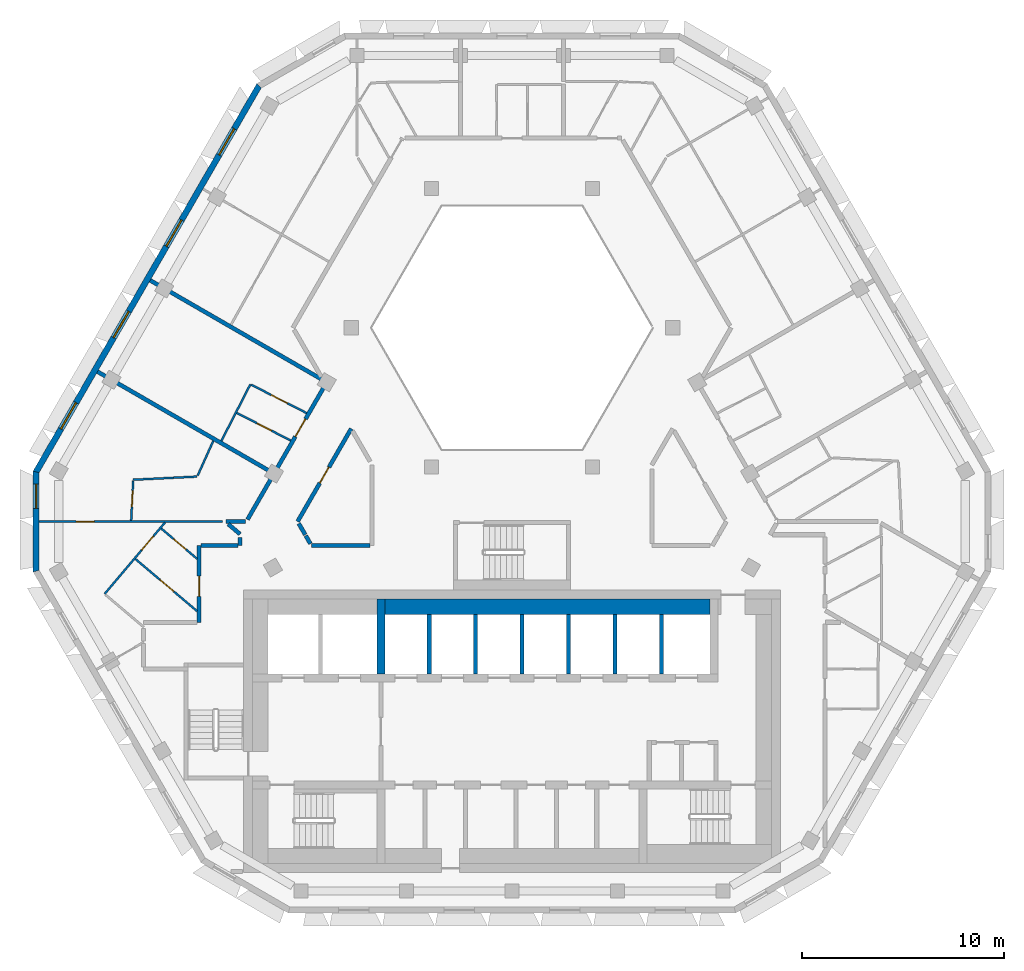
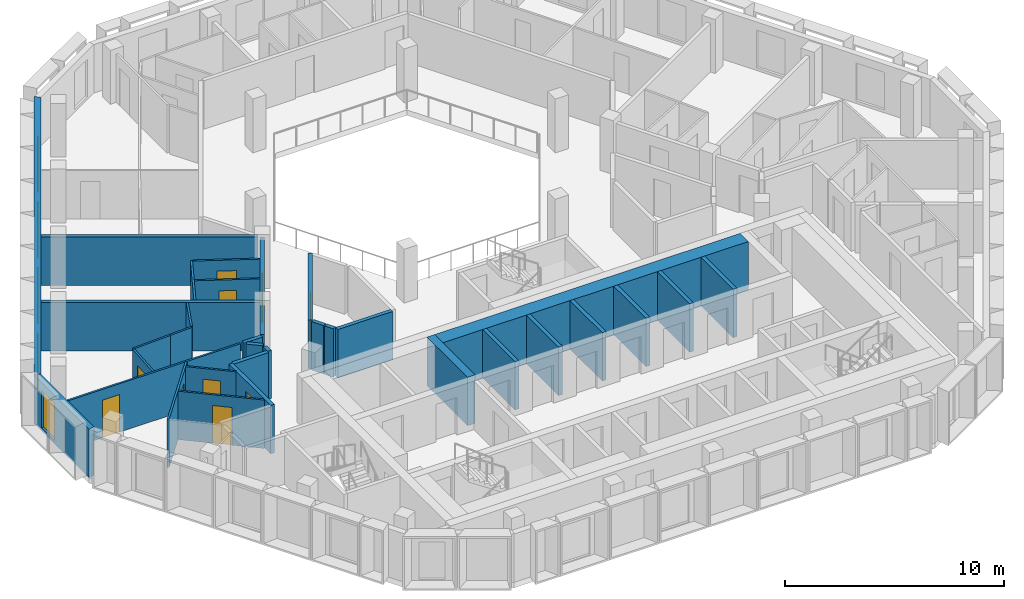
# One storey, part 4 of 15: 33 walls, 10 doors, 5 windows, 15 openings.
"""IFC4 building model written with IfcOpenShell, lengths in metres."""

from ifc_helpers import new_model, si_unit, direction, frame, frame_2d, origin, place, context, subcontext, project, spatial, polyline, rectangle, outline, extrude, material, layer, layer_set, type_object, element, fill, save


model = new_model("IFC4")

# Units and contexts
model_context = context("Model", 3, precision=1e-05, world=origin(), true_north=direction((0.0, 1.0)))
body_context = subcontext(model_context, "Body", "Model", "MODEL_VIEW")
ifc_project = project(units=[si_unit("LENGTHUNIT", "METRE"), si_unit("AREAUNIT", "SQUARE_METRE"), si_unit("VOLUMEUNIT", "CUBIC_METRE"), si_unit("PLANEANGLEUNIT", "RADIAN"), si_unit("MASSUNIT", "GRAM", prefix="KILO")], contexts=[model_context])

# Site, building, storey
site_placement = place(None, origin())
site = spatial("IfcSite", under=ifc_project, at=site_placement, CompositionType="ELEMENT")
building_placement = place(site_placement, origin())
building = spatial("IfcBuilding", under=site, at=building_placement, Name="Beryl Residences", CompositionType="ELEMENT")
storey_placement = place(building_placement, frame((0.0, 0.0, 205.800048828125)))
storey = spatial("IfcBuildingStorey", under=building, at=storey_placement, Name="L63", CompositionType="ELEMENT", Elevation=205.800048828125)

# Wall, openings, windows
ifc_material_1 = material(Name="Composite metal panel with mineral wool insulation")
ifc_layer_1 = layer(ifc_material_1, 0.300048828125)
ifc_layer_set_1 = layer_set([ifc_layer_1], Name="ES1 pale metal composite panel wall 300 mm")
wall_type_1 = type_object("IfcWallType", Name="ES1 pale metal composite panel wall 300 mm", PredefinedType="SOLIDWALL", material=ifc_layer_set_1)
wall_1_placement = place(storey_placement, frame((-12.513916015625, 20.02490234375, 0.0), z_axis=(0.0, 0.0, 1.0), x_axis=(-0.500003656944, -0.866023292436, 0.0)))
wall_1 = element("IfcWall", 1, at=wall_1_placement, inside=storey, type_object=wall_type_1, Name="ES1 external wall L63 NW", PredefinedType="SOLIDWALL", context=body_context, shape_type="SweptSolid", body=[
    extrude(outline(polyline([(0.0, -0.14990234375), (22.170166015625, -0.14990234375), (22.08984375, 0.14990234375), (0.080322265625, 0.14990234375), (0.0, -0.14990234375)])), origin(), (0.0, 0.0, 1.0), 2.699951171875),
])
opening_1_placement = place(wall_1_placement, frame((2.4970703125, 0.0, 0.14990234375)))
opening_1 = element("IfcOpeningElement", 2, at=opening_1_placement, cuts=wall_1, Name="Opening W1", PredefinedType="OPENING", context=body_context, shape_type="SweptSolid", body=[
    extrude(rectangle(XDim=1.5, YDim=2.10009765625, at=frame_2d((0.75, 1.050048828125))), frame((0.0, 0.159912109375, 0.0), z_axis=(0.0, -1.0, 0.0), x_axis=(1.0, 0.0, 0.0)), (0.0, 0.0, 1.0), 0.320068359375),
])
opening_2_placement = place(wall_1_placement, frame((7.721923828125, 0.0, 0.14990234375)))
opening_2 = element("IfcOpeningElement", 3, at=opening_2_placement, cuts=wall_1, Name="Opening W1", PredefinedType="OPENING", context=body_context, shape_type="SweptSolid", body=[
    extrude(rectangle(XDim=1.5, YDim=2.10009765625, at=frame_2d((0.75, 1.050048828125))), frame((0.0, 0.159912109375, 0.0), z_axis=(0.0, -1.0, 0.0), x_axis=(1.0, 0.0, 0.0)), (0.0, 0.0, 1.0), 0.320068359375),
])
opening_3_placement = place(wall_1_placement, frame((12.947998046875, 0.0, 0.14990234375)))
opening_3 = element("IfcOpeningElement", 4, at=opening_3_placement, cuts=wall_1, Name="Opening W1", PredefinedType="OPENING", context=body_context, shape_type="SweptSolid", body=[
    extrude(rectangle(XDim=1.5, YDim=2.10009765625, at=frame_2d((0.75, 1.050048828125))), frame((0.0, 0.159912109375, 0.0), z_axis=(0.0, -1.0, 0.0), x_axis=(1.0, 0.0, 0.0)), (0.0, 0.0, 1.0), 0.320068359375),
])
opening_4_placement = place(wall_1_placement, frame((18.173095703125, 0.0, 0.14990234375)))
opening_4 = element("IfcOpeningElement", 5, at=opening_4_placement, cuts=wall_1, Name="Opening W1", PredefinedType="OPENING", context=body_context, shape_type="SweptSolid", body=[
    extrude(rectangle(XDim=1.5, YDim=2.10009765625, at=frame_2d((0.75, 1.050048828125))), frame((0.0, 0.159912109375, 0.0), z_axis=(0.0, -1.0, 0.0), x_axis=(1.0, 0.0, 0.0)), (0.0, 0.0, 1.0), 0.320068359375),
])
ifc_material_2 = material(Name="Aluminium and clear glass", Category="aluminium")
window_type_1 = type_object("IfcWindowType", Name="W1 cell window 1500 x 2100 mm", PartitioningType="SINGLE_PANEL", PredefinedType="WINDOW", material=ifc_material_2)
window_1_placement = place(opening_1_placement, origin())
window_1 = element("IfcWindow", 6, at=window_1_placement, inside=storey, type_object=window_type_1, Name="W1 window L63 NW 2", OverallHeight=2.10009765625, OverallWidth=1.5, PartitioningType="SINGLE_PANEL", PredefinedType="WINDOW", context=body_context, shape_type="SweptSolid", body=[
    extrude(rectangle(XDim=1.5, YDim=2.10009765625, at=frame_2d((0.75, 1.050048828125))), frame((0.0, 0.030029296875, 0.0), z_axis=(0.0, -1.0, 0.0), x_axis=(1.0, 0.0, 0.0)), (0.0, 0.0, 1.0), 0.06005859375),
])
fill(opening_1, window_1)
window_2_placement = place(opening_2_placement, origin())
window_2 = element("IfcWindow", 7, at=window_2_placement, inside=storey, type_object=window_type_1, Name="W1 window L63 NW 4", OverallHeight=2.10009765625, OverallWidth=1.5, PartitioningType="SINGLE_PANEL", PredefinedType="WINDOW", context=body_context, shape_type="SweptSolid", body=[
    extrude(rectangle(XDim=1.5, YDim=2.10009765625, at=frame_2d((0.75, 1.050048828125))), frame((0.0, 0.030029296875, 0.0), z_axis=(0.0, -1.0, 0.0), x_axis=(1.0, 0.0, 0.0)), (0.0, 0.0, 1.0), 0.06005859375),
])
fill(opening_2, window_2)
window_3_placement = place(opening_3_placement, origin())
window_3 = element("IfcWindow", 8, at=window_3_placement, inside=storey, type_object=window_type_1, Name="W1 window L63 NW 6", OverallHeight=2.10009765625, OverallWidth=1.5, PartitioningType="SINGLE_PANEL", PredefinedType="WINDOW", context=body_context, shape_type="SweptSolid", body=[
    extrude(rectangle(XDim=1.5, YDim=2.10009765625, at=frame_2d((0.75, 1.050048828125))), frame((0.0, 0.030029296875, 0.0), z_axis=(0.0, -1.0, 0.0), x_axis=(1.0, 0.0, 0.0)), (0.0, 0.0, 1.0), 0.06005859375),
])
fill(opening_3, window_3)
window_4_placement = place(opening_4_placement, origin())
window_4 = element("IfcWindow", 9, at=window_4_placement, inside=storey, type_object=window_type_1, Name="W1 window L63 NW 8", OverallHeight=2.10009765625, OverallWidth=1.5, PartitioningType="SINGLE_PANEL", PredefinedType="WINDOW", context=body_context, shape_type="SweptSolid", body=[
    extrude(rectangle(XDim=1.5, YDim=2.10009765625, at=frame_2d((0.75, 1.050048828125))), frame((0.0, 0.030029296875, 0.0), z_axis=(0.0, -1.0, 0.0), x_axis=(1.0, 0.0, 0.0)), (0.0, 0.0, 1.0), 0.06005859375),
])
fill(opening_4, window_4)

# Wall, opening, window
wall_2_placement = place(storey_placement, frame((-23.5791015625, 0.89990234375, 0.0), z_axis=(0.0, 0.0, 1.0), x_axis=(0.0, -1.0, 0.0)))
wall_2 = element("IfcWall", 10, at=wall_2_placement, inside=storey, type_object=wall_type_1, Name="ES1 external wall L63 NW-SW", PredefinedType="SOLIDWALL", context=body_context, shape_type="SweptSolid", body=[
    extrude(outline(polyline([(0.0, -0.14990234375), (5.0, -0.14990234375), (4.919677734375, 0.14990234375), (0.080322265625, 0.14990234375), (0.0, -0.14990234375)])), origin(), (0.0, 0.0, 1.0), 2.699951171875),
])
opening_5_placement = place(wall_2_placement, frame((0.64990234375, 0.0, 0.14990234375)))
opening_5 = element("IfcOpeningElement", 11, at=opening_5_placement, cuts=wall_2, Name="Opening W2", PredefinedType="OPENING", context=body_context, shape_type="SweptSolid", body=[
    extrude(rectangle(XDim=1.199951171875, YDim=2.10009765625, at=frame_2d((0.60009765625, 1.050048828125))), frame((0.0, 0.159912109375, 0.0), z_axis=(0.0, -1.0, 0.0), x_axis=(1.0, 0.0, 0.0)), (0.0, 0.0, 1.0), 0.320068359375),
])
ifc_material_3 = material(Name="Aluminium and clear glass", Category="aluminium")
window_type_2 = type_object("IfcWindowType", Name="W2 chamfer window 1200 x 2100 mm", PartitioningType="SINGLE_PANEL", PredefinedType="WINDOW", material=ifc_material_3)
window_5_placement = place(opening_5_placement, origin())
window_5 = element("IfcWindow", 12, at=window_5_placement, inside=storey, type_object=window_type_2, Name="W2 window L63 NW-SW 1", OverallHeight=2.10009765625, OverallWidth=1.199951171875, PartitioningType="SINGLE_PANEL", PredefinedType="WINDOW", context=body_context, shape_type="SweptSolid", body=[
    extrude(rectangle(XDim=1.199951171875, YDim=2.10009765625, at=frame_2d((0.60009765625, 1.050048828125))), frame((0.0, 0.030029296875, 0.0), z_axis=(0.0, -1.0, 0.0), x_axis=(1.0, 0.0, 0.0)), (0.0, 0.0, 1.0), 0.06005859375),
])
fill(opening_5, window_5)

# Wall, opening, door
ifc_material_4 = material(Name="Gypsum board partition on steel studs", Category="steel")
ifc_layer_2 = layer(ifc_material_4, 0.10009765625)
ifc_layer_set_2 = layer_set([ifc_layer_2], Name="PT1 partition 100 mm gypsum board on steel studs")
wall_type_2 = type_object("IfcWallType", Name="PT1 partition 100 mm gypsum board on steel studs", PredefinedType="PARTITIONING", material=ifc_layer_set_2)
wall_3_placement = place(storey_placement, frame((-12.9169921875, 5.177001953125, 0.0), z_axis=(0.0, 0.0, 1.0), x_axis=(0.889829844516, -0.456292502467, 0.0)))
wall_3 = element("IfcWall", 13, at=wall_3_placement, inside=storey, type_object=wall_type_2, Name="Wall PT1 L63 015", PredefinedType="PARTITIONING", context=body_context, shape_type="SweptSolid", body=[
    extrude(rectangle(XDim=3.079345703125, YDim=0.10009765625, at=frame_2d((1.53955078125, 0.0))), origin(), (0.0, 0.0, 1.0), 2.699951171875),
])
opening_6_placement = place(wall_3_placement, frame((1.114013671875, 0.0, 0.0)))
opening_6 = element("IfcOpeningElement", 14, at=opening_6_placement, cuts=wall_3, Name="Opening D2121", PredefinedType="OPENING", context=body_context, shape_type="SweptSolid", body=[
    extrude(rectangle(XDim=0.89990234375, YDim=2.10009765625, at=frame_2d((0.449951171875, 1.050048828125))), frame((0.0, 0.06005859375, 0.0), z_axis=(0.0, -1.0, 0.0), x_axis=(1.0, 0.0, 0.0)), (0.0, 0.0, 1.0), 0.1201171875),
])
ifc_material_5 = material(Name="Timber door leaf", Category="wood")
door_type_1 = type_object("IfcDoorType", Name="D2 room door 900 x 2100 mm", OperationType="SINGLE_SWING_LEFT", PredefinedType="DOOR", material=ifc_material_5)
door_1_placement = place(opening_6_placement, origin())
door_1 = element("IfcDoor", 15, at=door_1_placement, inside=storey, type_object=door_type_1, Name="Door D2121 L63 001", OperationType="SINGLE_SWING_LEFT", OverallHeight=2.10009765625, OverallWidth=0.89990234375, PredefinedType="DOOR", context=body_context, shape_type="SweptSolid", body=[
    extrude(rectangle(XDim=0.89990234375, YDim=2.10009765625, at=frame_2d((0.449951171875, 1.050048828125))), frame((0.0, 0.02490234375, 0.0), z_axis=(0.0, -1.0, 0.0), x_axis=(1.0, 0.0, 0.0)), (0.0, 0.0, 1.0), 0.050048828125),
])
fill(opening_6, door_1)

wall_4_placement = place(storey_placement, frame((-13.634033203125, 3.780029296875, 0.0), z_axis=(0.0, 0.0, 1.0), x_axis=(0.889908901513, -0.456138298116, 0.0)))
wall_4 = element("IfcWall", 16, at=wall_4_placement, inside=storey, type_object=wall_type_2, Name="Wall PT1 L63 016", PredefinedType="PARTITIONING", context=body_context, shape_type="SweptSolid", body=[
    extrude(rectangle(XDim=3.001708984375, YDim=0.10009765625, at=frame_2d((1.5009765625, 0.0))), origin(), (0.0, 0.0, 1.0), 2.699951171875),
])
opening_7_placement = place(wall_4_placement, frame((1.1259765625, 0.0, 0.0)))
opening_7 = element("IfcOpeningElement", 17, at=opening_7_placement, cuts=wall_4, Name="Opening D2122", PredefinedType="OPENING", context=body_context, shape_type="SweptSolid", body=[
    extrude(rectangle(XDim=0.800048828125, YDim=2.10009765625, at=frame_2d((0.39990234375, 1.050048828125))), frame((0.0, 0.06005859375, 0.0), z_axis=(0.0, -1.0, 0.0), x_axis=(1.0, 0.0, 0.0)), (0.0, 0.0, 1.0), 0.1201171875),
])
ifc_material_6 = material(Name="Timber door leaf", Category="wood")
door_type_2 = type_object("IfcDoorType", Name="D3 bathroom door 800 x 2100 mm", OperationType="SINGLE_SWING_LEFT", PredefinedType="DOOR", material=ifc_material_6)
door_2_placement = place(opening_7_placement, origin())
door_2 = element("IfcDoor", 18, at=door_2_placement, inside=storey, type_object=door_type_2, Name="Door D2122 L63 001", OperationType="SINGLE_SWING_RIGHT", OverallHeight=2.10009765625, OverallWidth=0.800048828125, PredefinedType="DOOR", context=body_context, shape_type="SweptSolid", body=[
    extrude(rectangle(XDim=0.800048828125, YDim=2.10009765625, at=frame_2d((0.39990234375, 1.050048828125))), frame((0.0, 0.02490234375, 0.0), z_axis=(0.0, -1.0, 0.0), x_axis=(1.0, 0.0, 0.0)), (0.0, 0.0, 1.0), 0.050048828125),
])
fill(opening_7, door_2)

wall_5_placement = place(storey_placement, frame((-17.3798828125, -1.947021484375, 0.0), z_axis=(0.0, 0.0, 1.0), x_axis=(0.763616683524, -0.645669854217, 0.0)))
wall_5 = element("IfcWall", 19, at=wall_5_placement, inside=storey, type_object=wall_type_2, Name="Wall PT1 L63 019", PredefinedType="PARTITIONING", context=body_context, shape_type="SweptSolid", body=[
    extrude(rectangle(XDim=2.330810546875, YDim=0.10009765625, at=frame_2d((1.16552734375, 0.0))), origin(), (0.0, 0.0, 1.0), 2.699951171875),
])
opening_8_placement = place(wall_5_placement, frame((0.805908203125, 0.0, 0.0)))
opening_8 = element("IfcOpeningElement", 20, at=opening_8_placement, cuts=wall_5, Name="Opening D2125", PredefinedType="OPENING", context=body_context, shape_type="SweptSolid", body=[
    extrude(rectangle(XDim=0.800048828125, YDim=2.10009765625, at=frame_2d((0.39990234375, 1.050048828125))), frame((0.0, 0.06005859375, 0.0), z_axis=(0.0, -1.0, 0.0), x_axis=(1.0, 0.0, 0.0)), (0.0, 0.0, 1.0), 0.1201171875),
])
door_3_placement = place(opening_8_placement, origin())
door_3 = element("IfcDoor", 21, at=door_3_placement, inside=storey, type_object=door_type_2, Name="Door D2125 L63 001", OperationType="SINGLE_SWING_LEFT", OverallHeight=2.10009765625, OverallWidth=0.800048828125, PredefinedType="DOOR", context=body_context, shape_type="SweptSolid", body=[
    extrude(rectangle(XDim=0.800048828125, YDim=2.10009765625, at=frame_2d((0.39990234375, 1.050048828125))), frame((0.0, 0.02490234375, 0.0), z_axis=(0.0, -1.0, 0.0), x_axis=(1.0, 0.0, 0.0)), (0.0, 0.0, 1.0), 0.050048828125),
])
fill(opening_8, door_3)

wall_6_placement = place(storey_placement, frame((-18.658935546875, -3.458984375, 0.0), z_axis=(0.0, 0.0, 1.0), x_axis=(0.763550385572, -0.64574825489, 0.0)))
wall_6 = element("IfcWall", 22, at=wall_6_placement, inside=storey, type_object=wall_type_2, Name="Wall PT1 L63 020", PredefinedType="PARTITIONING", context=body_context, shape_type="SweptSolid", body=[
    extrude(rectangle(XDim=4.006103515625, YDim=0.10009765625, at=frame_2d((2.0029296875, 0.0))), origin(), (0.0, 0.0, 1.0), 2.699951171875),
])
opening_9_placement = place(wall_6_placement, frame((1.593017578125, 0.0, 0.0)))
opening_9 = element("IfcOpeningElement", 23, at=opening_9_placement, cuts=wall_6, Name="Opening D2124", PredefinedType="OPENING", context=body_context, shape_type="SweptSolid", body=[
    extrude(rectangle(XDim=0.89990234375, YDim=2.10009765625, at=frame_2d((0.449951171875, 1.050048828125))), frame((0.0, 0.06005859375, 0.0), z_axis=(0.0, -1.0, 0.0), x_axis=(1.0, 0.0, 0.0)), (0.0, 0.0, 1.0), 0.1201171875),
])
door_4_placement = place(opening_9_placement, origin())
door_4 = element("IfcDoor", 24, at=door_4_placement, inside=storey, type_object=door_type_1, Name="Door D2124 L63 001", OperationType="SINGLE_SWING_RIGHT", OverallHeight=2.10009765625, OverallWidth=0.89990234375, PredefinedType="DOOR", context=body_context, shape_type="SweptSolid", body=[
    extrude(rectangle(XDim=0.89990234375, YDim=2.10009765625, at=frame_2d((0.449951171875, 1.050048828125))), frame((0.0, 0.02490234375, 0.0), z_axis=(0.0, -1.0, 0.0), x_axis=(1.0, 0.0, 0.0)), (0.0, 0.0, 1.0), 0.050048828125),
])
fill(opening_9, door_4)

wall_7_placement = place(storey_placement, frame((-23.428955078125, -1.60107421875, 0.0), z_axis=(0.0, 0.0, 1.0), x_axis=(0.999999994233, 0.000107396965, 0.0)))
wall_7 = element("IfcWall", 25, at=wall_7_placement, inside=storey, type_object=wall_type_2, Name="Wall PT1 L63 022", PredefinedType="PARTITIONING", context=body_context, shape_type="SweptSolid", body=[
    extrude(rectangle(XDim=9.093017578125, YDim=0.10009765625, at=frame_2d((4.54638671875, 0.0))), origin(), (0.0, 0.0, 1.0), 2.699951171875),
])
opening_10_placement = place(wall_7_placement, frame((1.8291015625, 0.0, 0.0)))
opening_10 = element("IfcOpeningElement", 26, at=opening_10_placement, cuts=wall_7, Name="Opening D2127", PredefinedType="OPENING", context=body_context, shape_type="SweptSolid", body=[
    extrude(rectangle(XDim=0.89990234375, YDim=2.10009765625, at=frame_2d((0.449951171875, 1.050048828125))), frame((0.0, 0.06005859375, 0.0), z_axis=(0.0, -1.0, 0.0), x_axis=(1.0, 0.0, 0.0)), (0.0, 0.0, 1.0), 0.1201171875),
])
door_5_placement = place(opening_10_placement, origin())
door_5 = element("IfcDoor", 27, at=door_5_placement, inside=storey, type_object=door_type_1, Name="Door D2127 L63 001", OperationType="SINGLE_SWING_LEFT", OverallHeight=2.10009765625, OverallWidth=0.89990234375, PredefinedType="DOOR", context=body_context, shape_type="SweptSolid", body=[
    extrude(rectangle(XDim=0.89990234375, YDim=2.10009765625, at=frame_2d((0.449951171875, 1.050048828125))), frame((0.0, 0.02490234375, 0.0), z_axis=(0.0, -1.0, 0.0), x_axis=(1.0, 0.0, 0.0)), (0.0, 0.0, 1.0), 0.050048828125),
])
fill(opening_10, door_5)

wall_8_placement = place(storey_placement, frame((-20.18798828125, -5.19091796875, 0.0), z_axis=(0.0, 0.0, 1.0), x_axis=(0.645524337256, 0.763739700429, 0.0)))
wall_8 = element("IfcWall", 28, at=wall_8_placement, inside=storey, type_object=wall_type_2, Name="Wall PT1 L63 026", PredefinedType="PARTITIONING", context=body_context, shape_type="SweptSolid", body=[
    extrude(rectangle(XDim=4.636474609375, YDim=0.10009765625, at=frame_2d((2.318359375, 0.0))), origin(), (0.0, 0.0, 1.0), 2.699951171875),
])
opening_11_placement = place(wall_8_placement, frame((2.85009765625, 0.0, 0.0)))
opening_11 = element("IfcOpeningElement", 29, at=opening_11_placement, cuts=wall_8, Name="Opening D2126", PredefinedType="OPENING", context=body_context, shape_type="SweptSolid", body=[
    extrude(rectangle(XDim=0.89990234375, YDim=2.10009765625, at=frame_2d((0.449951171875, 1.050048828125))), frame((0.0, 0.06005859375, 0.0), z_axis=(0.0, -1.0, 0.0), x_axis=(1.0, 0.0, 0.0)), (0.0, 0.0, 1.0), 0.1201171875),
])
door_6_placement = place(opening_11_placement, origin())
door_6 = element("IfcDoor", 30, at=door_6_placement, inside=storey, type_object=door_type_1, Name="Door D2126 L63 001", OperationType="SINGLE_SWING_RIGHT", OverallHeight=2.10009765625, OverallWidth=0.89990234375, PredefinedType="DOOR", context=body_context, shape_type="SweptSolid", body=[
    extrude(rectangle(XDim=0.89990234375, YDim=2.10009765625, at=frame_2d((0.449951171875, 1.050048828125))), frame((0.0, 0.02490234375, 0.0), z_axis=(0.0, -1.0, 0.0), x_axis=(1.0, 0.0, 0.0)), (0.0, 0.0, 1.0), 0.050048828125),
])
fill(opening_11, door_6)

# Walls
wall_9_placement = place(storey_placement, frame((-15.574951171875, 0.677001953125, 0.0), z_axis=(0.0, 0.0, 1.0), x_axis=(0.410768223147, 0.911739802165, 0.0)))
element("IfcWall", 31, at=wall_9_placement, inside=storey, type_object=wall_type_2, Name="Wall PT1 L63 028", PredefinedType="PARTITIONING", context=body_context, shape_type="SweptSolid", body=[
    extrude(rectangle(XDim=1.886474609375, YDim=0.10009765625, at=frame_2d((0.943359375, 0.0))), origin(), (0.0, 0.0, 1.0), 2.699951171875),
])
wall_10_placement = place(storey_placement, frame((-14.39892578125, 2.39599609375, 0.0), z_axis=(0.0, 0.0, 1.0), x_axis=(0.455967231787, 0.889996563778, 0.0)))
element("IfcWall", 32, at=wall_10_placement, inside=storey, type_object=wall_type_2, Name="Wall PT1 L63 034", PredefinedType="PARTITIONING", context=body_context, shape_type="SweptSolid", body=[
    extrude(rectangle(XDim=3.1494140625, YDim=0.10009765625, at=frame_2d((1.57470703125, 0.0))), origin(), (0.0, 0.0, 1.0), 2.699951171875),
])

# Wall, opening, door
wall_11_placement = place(storey_placement, frame((-18.868896484375, -1.550048828125, 0.0), z_axis=(0.0, 0.0, 1.0), x_axis=(0.049189853645, 0.998789446429, 0.0)))
wall_11 = element("IfcWall", 33, at=wall_11_placement, inside=storey, type_object=wall_type_2, Name="Wall PT1 L63 035", PredefinedType="PARTITIONING", context=body_context, shape_type="SweptSolid", body=[
    extrude(rectangle(XDim=1.970458984375, YDim=0.10009765625, at=frame_2d((0.9853515625, 0.0))), origin(), (0.0, 0.0, 1.0), 2.699951171875),
])
opening_12_placement = place(wall_11_placement, frame((0.68408203125, 0.0, 0.0)))
opening_12 = element("IfcOpeningElement", 34, at=opening_12_placement, cuts=wall_11, Name="Opening D2129", PredefinedType="OPENING", context=body_context, shape_type="SweptSolid", body=[
    extrude(rectangle(XDim=0.800048828125, YDim=2.10009765625, at=frame_2d((0.39990234375, 1.050048828125))), frame((0.0, 0.06005859375, 0.0), z_axis=(0.0, -1.0, 0.0), x_axis=(1.0, 0.0, 0.0)), (0.0, 0.0, 1.0), 0.1201171875),
])
door_7_placement = place(opening_12_placement, origin())
door_7 = element("IfcDoor", 35, at=door_7_placement, inside=storey, type_object=door_type_2, Name="Door D2129 L63 001", OperationType="SINGLE_SWING_LEFT", OverallHeight=2.10009765625, OverallWidth=0.800048828125, PredefinedType="DOOR", context=body_context, shape_type="SweptSolid", body=[
    extrude(rectangle(XDim=0.800048828125, YDim=2.10009765625, at=frame_2d((0.39990234375, 1.050048828125))), frame((0.0, 0.02490234375, 0.0), z_axis=(0.0, -1.0, 0.0), x_axis=(1.0, 0.0, 0.0)), (0.0, 0.0, 1.0), 0.050048828125),
])
fill(opening_12, door_7)

# Walls
wall_12_placement = place(storey_placement, frame((-18.76904296875, 0.468994140625, 0.0), z_axis=(0.0, 0.0, 1.0), x_axis=(0.998780383332, 0.049373534108, 0.0)))
element("IfcWall", 36, at=wall_12_placement, inside=storey, type_object=wall_type_2, Name="Wall PT1 L63 046", PredefinedType="PARTITIONING", context=body_context, shape_type="SweptSolid", body=[
    extrude(rectangle(XDim=2.007568359375, YDim=0.10009765625, at=frame_2d((1.00390625, 0.0))), origin(), (0.0, 0.0, 1.0), 2.699951171875),
])
wall_13_placement = place(storey_placement, frame((-16.763916015625, 0.569091796875, 0.0), z_axis=(0.0, 0.0, 1.0), x_axis=(0.998812102885, 0.048727642373, 0.0)))
element("IfcWall", 37, at=wall_13_placement, inside=storey, type_object=wall_type_2, Name="Wall PT1 L63 047", PredefinedType="PARTITIONING", context=body_context, shape_type="SweptSolid", body=[
    extrude(rectangle(XDim=1.16748046875, YDim=0.10009765625, at=frame_2d((0.583740234375, 0.0))), origin(), (0.0, 0.0, 1.0), 2.699951171875),
])
ifc_material_7 = material(Name="Acoustic double stud gypsum board wall")
ifc_layer_3 = layer(ifc_material_7, 0.199951171875)
ifc_layer_set_3 = layer_set([ifc_layer_3], Name="PT3 party wall 200 mm acoustic double stud")
wall_type_3 = type_object("IfcWallType", Name="PT3 party wall 200 mm acoustic double stud", PredefinedType="PARTITIONING", material=ifc_layer_set_3)
wall_14_placement = place(storey_placement, frame((-20.5390625, 5.824951171875, 0.0), z_axis=(0.0, 0.0, 1.0), x_axis=(0.866046068403, -0.499964206122, 0.0)))
element("IfcWall", 38, at=wall_14_placement, inside=storey, type_object=wall_type_3, Name="Wall PT3 L63 004", PredefinedType="PARTITIONING", context=body_context, shape_type="SweptSolid", body=[
    extrude(rectangle(XDim=9.994873046875, YDim=0.199951171875, at=frame_2d((4.99755859375, 0.0))), origin(), (0.0, 0.0, 1.0), 2.699951171875),
])
wall_15_placement = place(storey_placement, frame((-17.926025390625, 10.35009765625, 0.0), z_axis=(0.0, 0.0, 1.0), x_axis=(0.866018411306, -0.500012111133, 0.0)))
element("IfcWall", 39, at=wall_15_placement, inside=storey, type_object=wall_type_3, Name="Wall PT3 L63 005", PredefinedType="PARTITIONING", context=body_context, shape_type="SweptSolid", body=[
    extrude(rectangle(XDim=9.898193359375, YDim=0.199951171875, at=frame_2d((4.94921875, 0.0))), origin(), (0.0, 0.0, 1.0), 2.699951171875),
])
wall_16_placement = place(storey_placement, frame((-14.05908203125, -1.72998046875, 0.0), z_axis=(0.0, 0.0, 1.0), x_axis=(0.763289607824, -0.64605647941, 0.0)))
element("IfcWall", 40, at=wall_16_placement, inside=storey, type_object=wall_type_3, Name="Wall PT3 L63 010", PredefinedType="PARTITIONING", context=body_context, shape_type="SweptSolid", body=[
    extrude(rectangle(XDim=0.766357421875, YDim=0.199951171875, at=frame_2d((0.38330078125, 0.0))), origin(), (0.0, 0.0, 1.0), 2.699951171875),
])
wall_17_placement = place(storey_placement, frame((-14.166015625, -1.60009765625, 0.0), z_axis=(0.0, 0.0, 1.0), x_axis=(1.0, 0.0, 0.0)))
element("IfcWall", 41, at=wall_17_placement, inside=storey, type_object=wall_type_3, Name="Wall PT3 L63 011", PredefinedType="PARTITIONING", context=body_context, shape_type="SweptSolid", body=[
    extrude(rectangle(XDim=0.972900390625, YDim=0.199951171875, at=frame_2d((0.486328125, 0.0))), origin(), (0.0, 0.0, 1.0), 2.699951171875),
])
ifc_material_8 = material(Name="Double stud gypsum board wall")
ifc_layer_4 = layer(ifc_material_8, 0.199951171875)
ifc_layer_set_4 = layer_set([ifc_layer_4], Name="PT4 corridor wall 200 mm double stud")
wall_type_4 = type_object("IfcWallType", Name="PT4 corridor wall 200 mm double stud", PredefinedType="PARTITIONING", material=ifc_layer_set_4)
wall_18_placement = place(storey_placement, frame((-10.56494140625, -1.700927734375, 0.0), z_axis=(0.0, 0.0, 1.0), x_axis=(0.499512735409, -0.866306543416, 0.0)))
element("IfcWall", 42, at=wall_18_placement, inside=storey, type_object=wall_type_4, Name="Wall PT4 L63 003", PredefinedType="PARTITIONING", context=body_context, shape_type="SweptSolid", body=[
    extrude(rectangle(XDim=0.638427734375, YDim=0.199951171875, at=frame_2d((0.3193359375, 0.0))), origin(), (0.0, 0.0, 1.0), 2.699951171875),
])
wall_19_placement = place(storey_placement, frame((-10.217041015625, -2.303955078125, 0.0), z_axis=(0.0, 0.0, 1.0), x_axis=(0.499013081552, -0.866594452117, 0.0)))
element("IfcWall", 43, at=wall_19_placement, inside=storey, type_object=wall_type_4, Name="Wall PT4 L63 004", PredefinedType="PARTITIONING", context=body_context, shape_type="SweptSolid", body=[
    extrude(rectangle(XDim=0.45703125, YDim=0.199951171875, at=frame_2d((0.228515625, 0.0))), origin(), (0.0, 0.0, 1.0), 2.699951171875),
])
wall_20_placement = place(storey_placement, frame((-15.39892578125, -2.800048828125, 0.0), z_axis=(0.0, 0.0, 1.0), x_axis=(1.0, 0.0, 0.0)))
element("IfcWall", 44, at=wall_20_placement, inside=storey, type_object=wall_type_4, Name="Wall PT4 L63 014", PredefinedType="PARTITIONING", context=body_context, shape_type="SweptSolid", body=[
    extrude(rectangle(XDim=1.824951171875, YDim=0.199951171875, at=frame_2d((0.91259765625, 0.0))), origin(), (0.0, 0.0, 1.0), 2.699951171875),
])
wall_21_placement = place(storey_placement, frame((-9.929931640625, -2.800048828125, 0.0), z_axis=(0.0, 0.0, 1.0), x_axis=(1.0, 0.0, 0.0)))
element("IfcWall", 45, at=wall_21_placement, inside=storey, type_object=wall_type_4, Name="Wall PT4 L63 015", PredefinedType="PARTITIONING", context=body_context, shape_type="SweptSolid", body=[
    extrude(rectangle(XDim=2.90087890625, YDim=0.199951171875, at=frame_2d((1.450439453125, 0.0))), origin(), (0.0, 0.0, 1.0), 2.699951171875),
])

# Wall, opening, door
wall_22_placement = place(storey_placement, frame((-10.623046875, -1.60009765625, 0.0), z_axis=(0.0, 0.0, 1.0), x_axis=(0.500040865889, 0.866001808567, 0.0)))
wall_22 = element("IfcWall", 46, at=wall_22_placement, inside=storey, type_object=wall_type_4, Name="Wall PT4 L63 023", PredefinedType="PARTITIONING", context=body_context, shape_type="SweptSolid", body=[
    extrude(rectangle(XDim=5.3095703125, YDim=0.199951171875, at=frame_2d((2.65478515625, 0.0))), origin(), (0.0, 0.0, 1.0), 2.699951171875),
])
opening_13_placement = place(wall_22_placement, frame((2.205078125, 0.0, 0.0)))
opening_13 = element("IfcOpeningElement", 47, at=opening_13_placement, cuts=wall_22, Name="Opening D2144", PredefinedType="OPENING", context=body_context, shape_type="SweptSolid", body=[
    extrude(rectangle(XDim=0.89990234375, YDim=2.10009765625, at=frame_2d((0.449951171875, 1.050048828125))), frame((0.0, 0.10986328125, 0.0), z_axis=(0.0, -1.0, 0.0), x_axis=(1.0, 0.0, 0.0)), (0.0, 0.0, 1.0), 0.219970703125),
])
door_8_placement = place(opening_13_placement, origin())
door_8 = element("IfcDoor", 48, at=door_8_placement, inside=storey, type_object=door_type_1, Name="Door D2144 L63 001", OperationType="SINGLE_SWING_RIGHT", OverallHeight=2.10009765625, OverallWidth=0.89990234375, PredefinedType="DOOR", context=body_context, shape_type="SweptSolid", body=[
    extrude(rectangle(XDim=0.89990234375, YDim=2.10009765625, at=frame_2d((0.449951171875, 1.050048828125))), frame((0.0, 0.02490234375, 0.0), z_axis=(0.0, -1.0, 0.0), x_axis=(1.0, 0.0, 0.0)), (0.0, 0.0, 1.0), 0.050048828125),
])
fill(opening_13, door_8)

wall_23_placement = place(storey_placement, frame((-13.10595703125, -1.5, 0.0), z_axis=(0.0, 0.0, 1.0), x_axis=(0.500025705601, 0.86601056214, 0.0)))
wall_23 = element("IfcWall", 49, at=wall_23_placement, inside=storey, type_object=wall_type_4, Name="Wall PT4 L63 024", PredefinedType="PARTITIONING", context=body_context, shape_type="SweptSolid", body=[
    extrude(rectangle(XDim=7.7353515625, YDim=0.199951171875, at=frame_2d((3.86767578125, 0.0))), origin(), (0.0, 0.0, 1.0), 2.699951171875),
])
opening_14_placement = place(wall_23_placement, frame((4.748046875, 0.0, 0.0)))
opening_14 = element("IfcOpeningElement", 50, at=opening_14_placement, cuts=wall_23, Name="Opening D2120", PredefinedType="OPENING", context=body_context, shape_type="SweptSolid", body=[
    extrude(rectangle(XDim=1.0, YDim=2.10009765625, at=frame_2d((0.5, 1.050048828125))), frame((0.0, 0.10986328125, 0.0), z_axis=(0.0, -1.0, 0.0), x_axis=(1.0, 0.0, 0.0)), (0.0, 0.0, 1.0), 0.219970703125),
])
ifc_material_9 = material(Name="Timber door leaf", Category="wood")
door_type_3 = type_object("IfcDoorType", Name="D1 flat entrance door 1000 x 2100 mm", OperationType="SINGLE_SWING_LEFT", PredefinedType="DOOR", material=ifc_material_9)
door_9_placement = place(opening_14_placement, origin())
door_9 = element("IfcDoor", 51, at=door_9_placement, inside=storey, type_object=door_type_3, Name="Door D2120 L63 001", OperationType="SINGLE_SWING_RIGHT", OverallHeight=2.10009765625, OverallWidth=1.0, PredefinedType="DOOR", context=body_context, shape_type="SweptSolid", body=[
    extrude(rectangle(XDim=1.0, YDim=2.10009765625, at=frame_2d((0.5, 1.050048828125))), frame((0.0, 0.02490234375, 0.0), z_axis=(0.0, -1.0, 0.0), x_axis=(1.0, 0.0, 0.0)), (0.0, 0.0, 1.0), 0.050048828125),
])
fill(opening_14, door_9)

# Wall
wall_24_placement = place(storey_placement, frame((-13.472900390625, -2.799072265625, 0.0), z_axis=(0.0, 0.0, 1.0), x_axis=(0.0, 1.0, 0.0)))
element("IfcWall", 52, at=wall_24_placement, inside=storey, type_object=wall_type_4, Name="Wall PT4 L63 029", PredefinedType="PARTITIONING", context=body_context, shape_type="SweptSolid", body=[
    extrude(rectangle(XDim=0.412109375, YDim=0.199951171875, at=frame_2d((0.2060546875, 0.0))), origin(), (0.0, 0.0, 1.0), 2.699951171875),
])

# Wall, opening, door
wall_25_placement = place(storey_placement, frame((-15.5, -6.59912109375, 0.0), z_axis=(0.0, 0.0, 1.0), x_axis=(0.0, 1.0, 0.0)))
wall_25 = element("IfcWall", 53, at=wall_25_placement, inside=storey, type_object=wall_type_4, Name="Wall PT4 L63 030", PredefinedType="PARTITIONING", context=body_context, shape_type="SweptSolid", body=[
    extrude(rectangle(XDim=3.798095703125, YDim=0.199951171875, at=frame_2d((1.89892578125, 0.0))), origin(), (0.0, 0.0, 1.0), 2.699951171875),
])
opening_15_placement = place(wall_25_placement, frame((1.291015625, 0.0, 0.0)))
opening_15 = element("IfcOpeningElement", 54, at=opening_15_placement, cuts=wall_25, Name="Opening D2123", PredefinedType="OPENING", context=body_context, shape_type="SweptSolid", body=[
    extrude(rectangle(XDim=1.0, YDim=2.10009765625, at=frame_2d((0.5, 1.050048828125))), frame((0.0, 0.10986328125, 0.0), z_axis=(0.0, -1.0, 0.0), x_axis=(1.0, 0.0, 0.0)), (0.0, 0.0, 1.0), 0.219970703125),
])
door_10_placement = place(opening_15_placement, origin())
door_10 = element("IfcDoor", 55, at=door_10_placement, inside=storey, type_object=door_type_3, Name="Door D2123 L63 001", OperationType="SINGLE_SWING_LEFT", OverallHeight=2.10009765625, OverallWidth=1.0, PredefinedType="DOOR", context=body_context, shape_type="SweptSolid", body=[
    extrude(rectangle(XDim=1.0, YDim=2.10009765625, at=frame_2d((0.5, 1.050048828125))), frame((0.0, 0.02490234375, 0.0), z_axis=(0.0, -1.0, 0.0), x_axis=(1.0, 0.0, 0.0)), (0.0, 0.0, 1.0), 0.050048828125),
])
fill(opening_15, door_10)

# Walls
ifc_material_10 = material(Name="Concrete C40/50", Category="concrete")
ifc_layer_5 = layer(ifc_material_10, 0.199951171875)
ifc_layer_set_5 = layer_set([ifc_layer_5], Name="PT6 lift shaft wall 200 mm reinforced concrete C40/50")
wall_type_5 = type_object("IfcWallType", Name="PT6 lift shaft wall 200 mm reinforced concrete C40/50", PredefinedType="SOLIDWALL", material=ifc_layer_set_5)
for number, where, z_axis, x_axis, name in (
    (56, (-4.10009765625, -9.14990234375, 0.0), (0.0, 0.0, 1.0), (0.0, 1.0, 0.0), "Lift shaft wall 16"),
    (57, (-1.800048828125, -9.14990234375, 0.0), (0.0, 0.0, 1.0), (0.0, 1.0, 0.0), "Lift shaft wall 19"),
    (58, (0.5, -9.14990234375, 0.0), (0.0, 0.0, 1.0), (0.0, 1.0, 0.0), "Lift shaft wall 21"),
    (59, (2.800048828125, -9.14990234375, 0.0), (0.0, 0.0, 1.0), (0.0, 1.0, 0.0), "Lift shaft wall 23"),
    (60, (5.10009765625, -9.14990234375, 0.0), (0.0, 0.0, 1.0), (0.0, 1.0, 0.0), "Lift shaft wall 25"),
    (61, (7.39990234375, -9.14990234375, 0.0), (0.0, 0.0, 1.0), (0.0, 1.0, 0.0), "Lift shaft wall 29"),
):
    element("IfcWall", number, at=place(storey_placement, frame(where, z_axis=z_axis, x_axis=x_axis)), inside=storey, type_object=wall_type_5, Name=name, PredefinedType="SOLIDWALL", context=body_context, shape_type="SweptSolid", body=[
        extrude(rectangle(XDim=2.949951171875, YDim=0.199951171875, at=frame_2d((1.47509765625, 0.0))), origin(), (0.0, 0.0, 1.0), 2.699951171875),
    ])
ifc_material_11 = material(Name="Concrete C40/50", Category="concrete")
ifc_layer_6 = layer(ifc_material_11, 0.75)
ifc_layer_set_6 = layer_set([ifc_layer_6], Name="PT6-750 lift shaft wall 750 mm")
wall_type_6 = type_object("IfcWallType", Name="PT6-750 lift shaft wall 750 mm", PredefinedType="SOLIDWALL", material=ifc_layer_set_6)
wall_26_placement = place(storey_placement, frame((-6.300048828125, -5.824951171875, 0.0), z_axis=(0.0, 0.0, 1.0), x_axis=(1.0, 0.0, 0.0)))
element("IfcWall", 62, at=wall_26_placement, inside=storey, type_object=wall_type_6, Name="Lift shaft wall 14", PredefinedType="SOLIDWALL", context=body_context, shape_type="SweptSolid", body=[
    extrude(rectangle(XDim=16.10009765625, YDim=0.75, at=frame_2d((8.050048828125, 0.0))), origin(), (0.0, 0.0, 1.0), 2.699951171875),
])
ifc_material_12 = material(Name="Concrete C50/60", Category="concrete")
ifc_layer_7 = layer(ifc_material_12, 0.39990234375)
ifc_layer_set_7 = layer_set([ifc_layer_7], Name="SW10 core internal wall 400 mm C50/60")
wall_type_7 = type_object("IfcWallType", Name="SW10 core internal wall 400 mm C50/60", PredefinedType="SHEAR", material=ifc_layer_set_7)
wall_27_placement = place(storey_placement, frame((-6.5, -9.14990234375, 0.0), z_axis=(0.0, 0.0, 1.0), x_axis=(0.0, 1.0, 0.0)))
element("IfcWall", 63, at=wall_27_placement, inside=storey, type_object=wall_type_7, Name="Core wall XN1 L63", PredefinedType="SHEAR", context=body_context, shape_type="SweptSolid", body=[
    extrude(rectangle(XDim=3.699951171875, YDim=0.39990234375, at=frame_2d((1.85009765625, 0.0))), origin(), (0.0, 0.0, 1.0), 2.699951171875),
])

save(model, "model.ifc")
